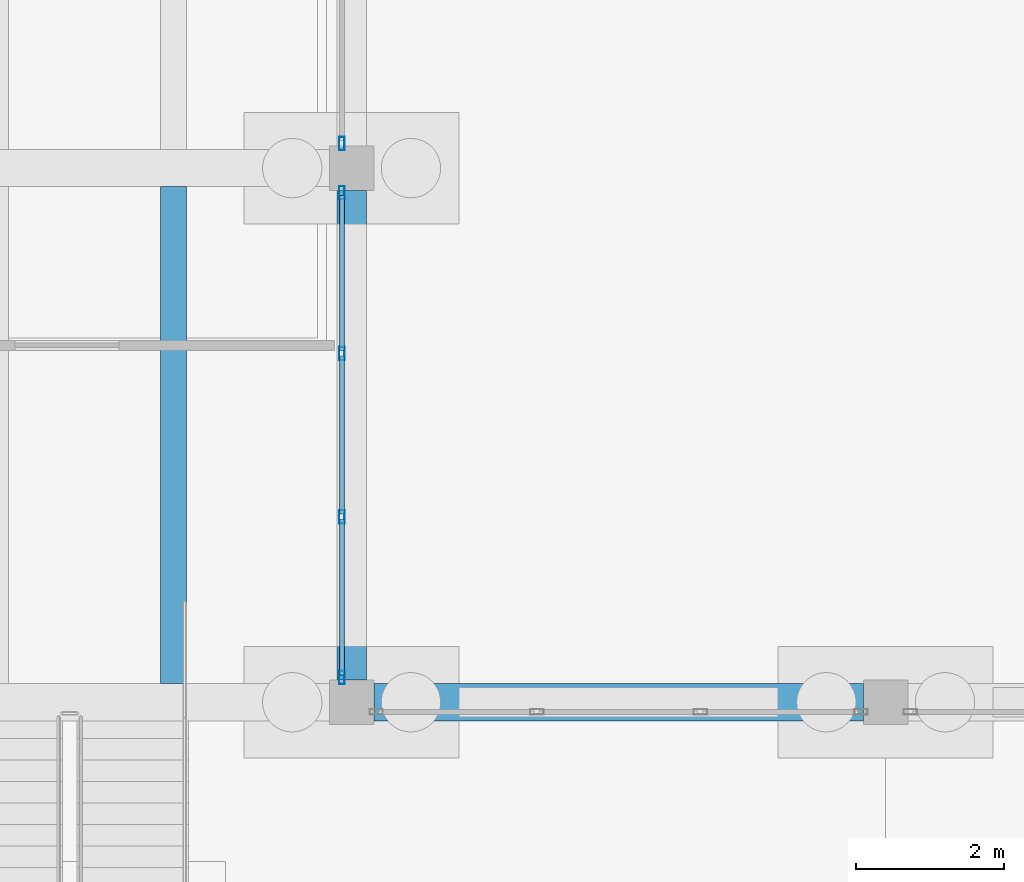
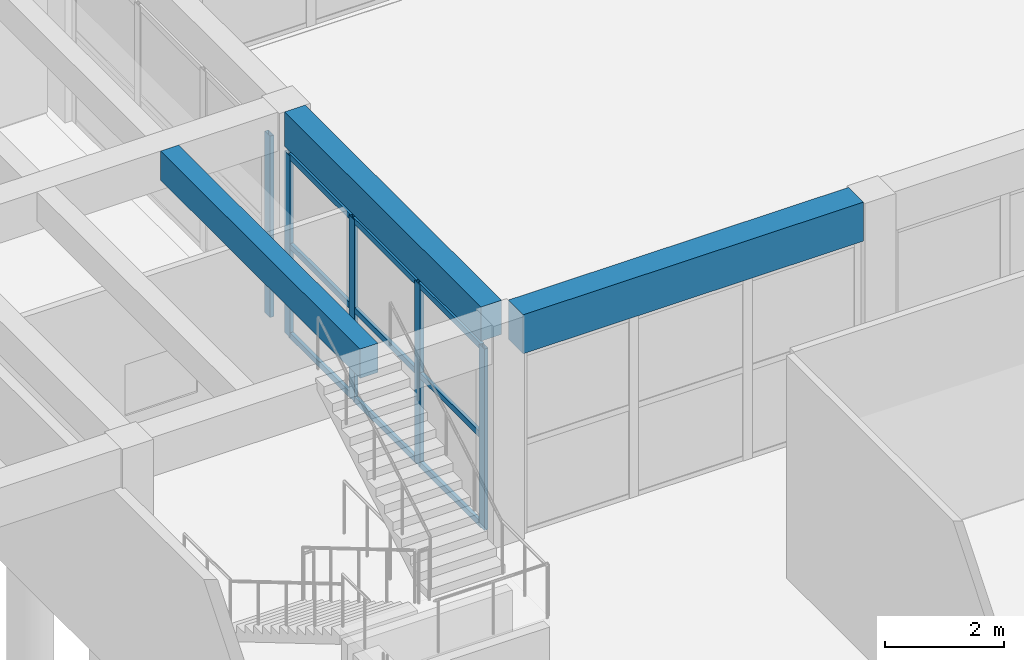
# One storey, part 32 of 155: 14 members, 3 beams, 2 elements without a shape of their own.
"""IFC4 building model written with IfcOpenShell, lengths in metres."""

from ifc_helpers import new_model, si_unit, direction, frame, origin, origin_2d, place, context, subcontext, project, spatial, rectangle, hollow_rectangle, extrude, material, material_profile, profile_set, type_object, element, aggregate, save


model = new_model("IFC4")

# Units and contexts
model_context = context("Model", 3, precision=1e-05, world=origin(), true_north=direction((0.0, 1.0)))
body_context = subcontext(model_context, "Body", "Model", "MODEL_VIEW")
ifc_project = project(units=[si_unit("LENGTHUNIT", "METRE"), si_unit("AREAUNIT", "SQUARE_METRE"), si_unit("VOLUMEUNIT", "CUBIC_METRE"), si_unit("PLANEANGLEUNIT", "RADIAN"), si_unit("MASSUNIT", "GRAM", prefix="KILO")], contexts=[model_context])

# Site, building, storey
site_placement = place(None, origin())
site = spatial("IfcSite", under=ifc_project, at=site_placement, CompositionType="ELEMENT")
building_placement = place(site_placement, origin())
building = spatial("IfcBuilding", under=site, at=building_placement, Name="Bramvelor Terrace Health Centre", CompositionType="ELEMENT")
storey_placement = place(building_placement, origin())
storey = spatial("IfcBuildingStorey", under=building, at=storey_placement, Name="L01", CompositionType="ELEMENT", Elevation=0.0)

# Beams
ifc_material_1 = material(Name="Concrete C40/50", Category="concrete")
ifc_material_profile_1 = material_profile(ifc_material_1, rectangle(XDim=0.39990234375, YDim=0.699951171875, at=origin_2d()), Name="RC 400x700")
ifc_profile_set_1 = profile_set([ifc_material_profile_1], Name="Concrete C40/50")
beam_type_1 = type_object("IfcBeamType", Name="BM-RC-G700", PredefinedType="BEAM", material=ifc_profile_set_1)
beam_1_placement = place(storey_placement, frame((57.60009765625, 50.699951171875, 4.2099609375), z_axis=(0.0, 1.0, 0.0), x_axis=(-1.0, 0.0, 0.0)))
element("IfcBeam", 1, at=beam_1_placement, inside=storey, type_object=beam_type_1, Name="L01 Floor Girder", PredefinedType="BEAM", context=body_context, shape_type="SweptSolid", body=[
    extrude(rectangle(XDim=0.39990234375, YDim=0.699951171875, at=origin_2d()), origin(), (0.0, 0.0, 1.0), 6.60009765625),
])
ifc_material_2 = material(Name="Concrete C40/50", Category="concrete")
ifc_material_profile_2 = material_profile(ifc_material_2, rectangle(XDim=0.5, YDim=0.800048828125, at=origin_2d()), Name="RC 500x800")
ifc_profile_set_2 = profile_set([ifc_material_profile_2], Name="Concrete C40/50")
beam_type_2 = type_object("IfcBeamType", Name="BM-RC-G800", PredefinedType="BEAM", material=ifc_profile_set_2)
beam_2_placement = place(storey_placement, frame((57.89990234375, 50.39990234375, 4.159912109375), z_axis=(1.0, 0.0, 0.0), x_axis=(0.0, 1.0, 0.0)))
element("IfcBeam", 2, at=beam_2_placement, inside=storey, type_object=beam_type_2, Name="L01 Floor Girder", PredefinedType="BEAM", context=body_context, shape_type="SweptSolid", body=[
    extrude(rectangle(XDim=0.5, YDim=0.800048828125, at=origin_2d()), origin(), (0.0, 0.0, 1.0), 6.60009765625),
])
ifc_material_3 = material(Name="Concrete C40/50", Category="concrete")
ifc_material_profile_3 = material_profile(ifc_material_3, rectangle(XDim=0.35009765625, YDim=0.60009765625, at=origin_2d()), Name="RC 350x600")
ifc_profile_set_3 = profile_set([ifc_material_profile_3], Name="Concrete C40/50")
beam_type_3 = type_object("IfcBeamType", Name="BM-RC-J600", PredefinedType="JOIST", material=ifc_profile_set_3)
beam_3_placement = place(storey_placement, frame((55.199951171875, 50.64990234375, 4.260009765625), z_axis=(0.0, 1.0, 0.0), x_axis=(-1.0, 0.0, 0.0)))
element("IfcBeam", 3, at=beam_3_placement, inside=storey, type_object=beam_type_3, Name="L01 Secondary Floor Joist", PredefinedType="JOIST", context=body_context, shape_type="SweptSolid", body=[
    extrude(rectangle(XDim=0.35009765625, YDim=0.60009765625, at=origin_2d()), origin(), (0.0, 0.0, 1.0), 6.7001953125),
])

# Curtain wall, member
ifc_material_4 = material(Name="Anodized aluminium and double low-E glass", Category="aluminium")
curtain_wall_type = type_object("IfcCurtainWallType", Name="CW-SYS-02", PredefinedType="NOTDEFINED", material=ifc_material_4)
curtain_wall_1_placement = place(storey_placement, origin())
curtain_wall_1 = element("IfcCurtainWall", 4, at=curtain_wall_1_placement, inside=storey, type_object=curtain_wall_type, Name="L01 Unitized Curtain Wall 58", PredefinedType="NOTDEFINED")
ifc_material_5 = material(Name="Anodized aluminium 6063-T6", Category="aluminium")
ifc_material_profile_4 = material_profile(ifc_material_5, hollow_rectangle(XDim=0.074951171875, YDim=0.179931640625, WallThickness=0.00341796875, at=origin_2d()), Name="ALU-MUL 75x180x3.5")
ifc_profile_set_4 = profile_set([ifc_material_profile_4], Name="Anodized aluminium 6063-T6")
member_type_1 = type_object("IfcMemberType", Name="CW-MUL-65x180", PredefinedType="MULLION", material=ifc_profile_set_4)
member_1_placement = place(storey_placement, frame((57.469970703125, 57.9326171875, 0.0), z_axis=(0.0, 0.0, 1.0), x_axis=(1.0, 0.0, 0.0)))
member_1 = element("IfcMember", 5, at=member_1_placement, type_object=member_type_1, Name="CW-02 mullion 4", PredefinedType="MULLION", context=body_context, shape_type="SweptSolid", body=[
    extrude(hollow_rectangle(XDim=0.074951171875, YDim=0.179931640625, WallThickness=0.00341796875, at=origin_2d()), origin(), (0.0, 0.0, 1.0), 3.719970703125),
])
aggregate(curtain_wall_1, [member_1])

# Curtain wall, members
curtain_wall_2_placement = place(storey_placement, origin())
curtain_wall_2 = element("IfcCurtainWall", 6, at=curtain_wall_2_placement, inside=storey, type_object=curtain_wall_type, Name="L01 Unitized Curtain Wall 59", PredefinedType="NOTDEFINED")
member_2_placement = place(storey_placement, frame((57.469970703125, 57.267578125, 0.0), z_axis=(0.0, 0.0, 1.0), x_axis=(1.0, 0.0, 0.0)))
member_2 = element("IfcMember", 7, at=member_2_placement, type_object=member_type_1, Name="CW-02 mullion 1", PredefinedType="MULLION", context=body_context, shape_type="SweptSolid", body=[
    extrude(hollow_rectangle(XDim=0.074951171875, YDim=0.179931640625, WallThickness=0.00341796875, at=origin_2d()), origin(), (0.0, 0.0, 1.0), 3.719970703125),
])
member_3_placement = place(storey_placement, frame((57.469970703125, 55.1015625, 0.0), z_axis=(0.0, 0.0, 1.0), x_axis=(1.0, 0.0, 0.0)))
member_3 = element("IfcMember", 8, at=member_3_placement, type_object=member_type_1, Name="CW-02 mullion 2", PredefinedType="MULLION", context=body_context, shape_type="SweptSolid", body=[
    extrude(hollow_rectangle(XDim=0.074951171875, YDim=0.179931640625, WallThickness=0.00341796875, at=origin_2d()), origin(), (0.0, 0.0, 1.0), 3.719970703125),
])
member_4_placement = place(storey_placement, frame((57.469970703125, 52.8984375, 0.0), z_axis=(0.0, 0.0, 1.0), x_axis=(1.0, 0.0, 0.0)))
member_4 = element("IfcMember", 9, at=member_4_placement, type_object=member_type_1, Name="CW-02 mullion 3", PredefinedType="MULLION", context=body_context, shape_type="SweptSolid", body=[
    extrude(hollow_rectangle(XDim=0.074951171875, YDim=0.179931640625, WallThickness=0.00341796875, at=origin_2d()), origin(), (0.0, 0.0, 1.0), 3.719970703125),
])
member_5_placement = place(storey_placement, frame((57.469970703125, 50.732421875, 0.0), z_axis=(0.0, 0.0, 1.0), x_axis=(1.0, 0.0, 0.0)))
member_5 = element("IfcMember", 10, at=member_5_placement, type_object=member_type_1, Name="CW-02 mullion 4", PredefinedType="MULLION", context=body_context, shape_type="SweptSolid", body=[
    extrude(hollow_rectangle(XDim=0.074951171875, YDim=0.179931640625, WallThickness=0.00341796875, at=origin_2d()), origin(), (0.0, 0.0, 1.0), 3.719970703125),
])
ifc_material_6 = material(Name="Anodized aluminium 6063-T6", Category="aluminium")
ifc_material_profile_5 = material_profile(ifc_material_6, hollow_rectangle(XDim=0.06494140625, YDim=0.1201171875, WallThickness=0.0029296875, at=origin_2d()), Name="ALU-TRN 65x120x3.0")
ifc_profile_set_5 = profile_set([ifc_material_profile_5], Name="Anodized aluminium 6063-T6")
member_type_2 = type_object("IfcMemberType", Name="CW-TRN-65x150", PredefinedType="USERDEFINED", material=ifc_profile_set_5)
member_6_placement = place(storey_placement, frame((57.469970703125, 57.22998046875, 0.032470703125), z_axis=(0.0, -1.0, 0.0), x_axis=(1.0, 0.0, 0.0)))
member_6 = element("IfcMember", 11, at=member_6_placement, type_object=member_type_2, Name="CW-02 transom 1.1", ObjectType="TRANSOM", PredefinedType="USERDEFINED", context=body_context, shape_type="SweptSolid", body=[
    extrude(hollow_rectangle(XDim=0.06494140625, YDim=0.1201171875, WallThickness=0.0029296875, at=origin_2d()), origin(), (0.0, 0.0, 1.0), 2.0908203125),
])
member_7_placement = place(storey_placement, frame((57.469970703125, 57.22998046875, 1.860107421875), z_axis=(0.0, -1.0, 0.0), x_axis=(1.0, 0.0, 0.0)))
member_7 = element("IfcMember", 12, at=member_7_placement, type_object=member_type_2, Name="CW-02 transom 1.2", ObjectType="TRANSOM", PredefinedType="USERDEFINED", context=body_context, shape_type="SweptSolid", body=[
    extrude(hollow_rectangle(XDim=0.06494140625, YDim=0.1201171875, WallThickness=0.0029296875, at=origin_2d()), origin(), (0.0, 0.0, 1.0), 2.0908203125),
])
member_8_placement = place(storey_placement, frame((57.469970703125, 57.22998046875, 3.6875), z_axis=(0.0, -1.0, 0.0), x_axis=(1.0, 0.0, 0.0)))
member_8 = element("IfcMember", 13, at=member_8_placement, type_object=member_type_2, Name="CW-02 transom 1.3", ObjectType="TRANSOM", PredefinedType="USERDEFINED", context=body_context, shape_type="SweptSolid", body=[
    extrude(hollow_rectangle(XDim=0.06494140625, YDim=0.1201171875, WallThickness=0.0029296875, at=origin_2d()), origin(), (0.0, 0.0, 1.0), 2.0908203125),
])
member_9_placement = place(storey_placement, frame((57.469970703125, 55.064208984375, 0.032470703125), z_axis=(0.0, -1.0, 0.0), x_axis=(1.0, 0.0, 0.0)))
member_9 = element("IfcMember", 14, at=member_9_placement, type_object=member_type_2, Name="CW-02 transom 2.1", ObjectType="TRANSOM", PredefinedType="USERDEFINED", context=body_context, shape_type="SweptSolid", body=[
    extrude(hollow_rectangle(XDim=0.06494140625, YDim=0.1201171875, WallThickness=0.0029296875, at=origin_2d()), origin(), (0.0, 0.0, 1.0), 2.12841796875),
])
member_10_placement = place(storey_placement, frame((57.469970703125, 55.064208984375, 1.860107421875), z_axis=(0.0, -1.0, 0.0), x_axis=(1.0, 0.0, 0.0)))
member_10 = element("IfcMember", 15, at=member_10_placement, type_object=member_type_2, Name="CW-02 transom 2.2", ObjectType="TRANSOM", PredefinedType="USERDEFINED", context=body_context, shape_type="SweptSolid", body=[
    extrude(hollow_rectangle(XDim=0.06494140625, YDim=0.1201171875, WallThickness=0.0029296875, at=origin_2d()), origin(), (0.0, 0.0, 1.0), 2.12841796875),
])
member_11_placement = place(storey_placement, frame((57.469970703125, 55.064208984375, 3.6875), z_axis=(0.0, -1.0, 0.0), x_axis=(1.0, 0.0, 0.0)))
member_11 = element("IfcMember", 16, at=member_11_placement, type_object=member_type_2, Name="CW-02 transom 2.3", ObjectType="TRANSOM", PredefinedType="USERDEFINED", context=body_context, shape_type="SweptSolid", body=[
    extrude(hollow_rectangle(XDim=0.06494140625, YDim=0.1201171875, WallThickness=0.0029296875, at=origin_2d()), origin(), (0.0, 0.0, 1.0), 2.12841796875),
])
member_12_placement = place(storey_placement, frame((57.469970703125, 52.86083984375, 0.032470703125), z_axis=(0.0, -1.0, 0.0), x_axis=(1.0, 0.0, 0.0)))
member_12 = element("IfcMember", 17, at=member_12_placement, type_object=member_type_2, Name="CW-02 transom 3.1", ObjectType="TRANSOM", PredefinedType="USERDEFINED", context=body_context, shape_type="SweptSolid", body=[
    extrude(hollow_rectangle(XDim=0.06494140625, YDim=0.1201171875, WallThickness=0.0029296875, at=origin_2d()), origin(), (0.0, 0.0, 1.0), 2.0908203125),
])
member_13_placement = place(storey_placement, frame((57.469970703125, 52.86083984375, 1.860107421875), z_axis=(0.0, -1.0, 0.0), x_axis=(1.0, 0.0, 0.0)))
member_13 = element("IfcMember", 18, at=member_13_placement, type_object=member_type_2, Name="CW-02 transom 3.2", ObjectType="TRANSOM", PredefinedType="USERDEFINED", context=body_context, shape_type="SweptSolid", body=[
    extrude(hollow_rectangle(XDim=0.06494140625, YDim=0.1201171875, WallThickness=0.0029296875, at=origin_2d()), origin(), (0.0, 0.0, 1.0), 2.0908203125),
])
member_14_placement = place(storey_placement, frame((57.469970703125, 52.86083984375, 3.6875), z_axis=(0.0, -1.0, 0.0), x_axis=(1.0, 0.0, 0.0)))
member_14 = element("IfcMember", 19, at=member_14_placement, type_object=member_type_2, Name="CW-02 transom 3.3", ObjectType="TRANSOM", PredefinedType="USERDEFINED", context=body_context, shape_type="SweptSolid", body=[
    extrude(hollow_rectangle(XDim=0.06494140625, YDim=0.1201171875, WallThickness=0.0029296875, at=origin_2d()), origin(), (0.0, 0.0, 1.0), 2.0908203125),
])
aggregate(curtain_wall_2, [member_2, member_3, member_4, member_5, member_6, member_7, member_8, member_9, member_10, member_11, member_12, member_13, member_14])

save(model, "model.ifc")
